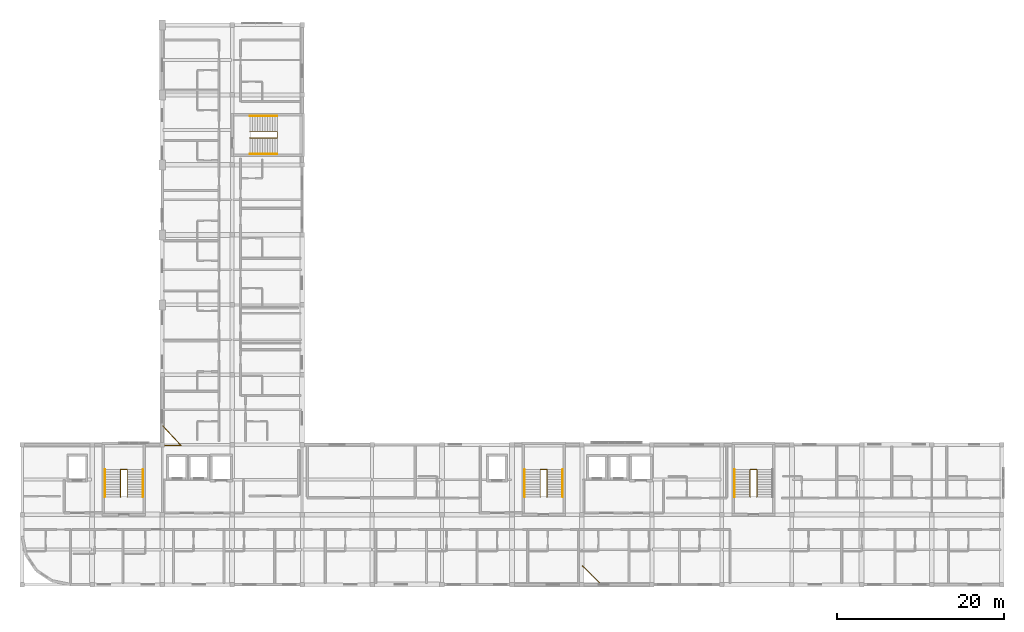
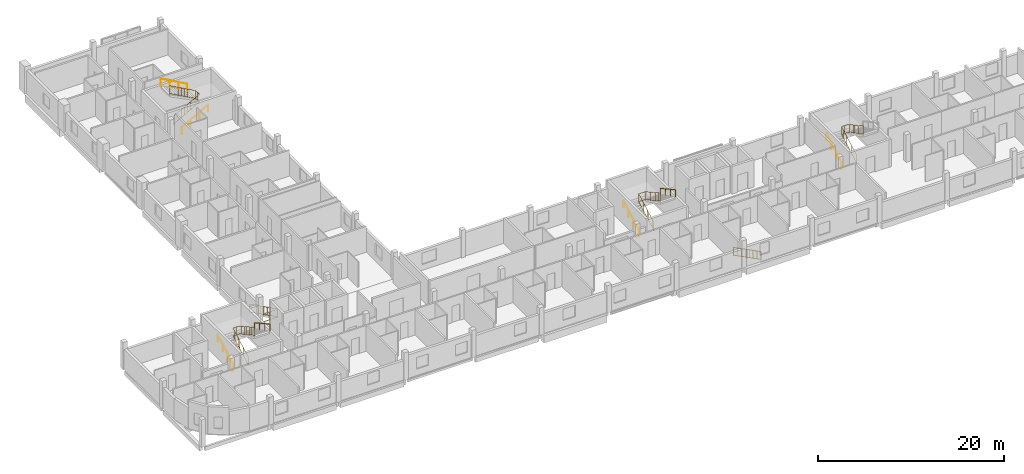
# One storey, part 19 of 20: 13 railings.
"""IFC4 building model written with IfcOpenShell, lengths in metres."""

from ifc_helpers import new_model, si_unit, derived_unit, direction, frame, origin, origin_2d, place, context, subcontext, project, spatial, circle, extrude, material, layer, layer_set, type_object, element, save


model = new_model("IFC4")

# Units and contexts
model_context = context("Model", 3, precision=1e-05, world=origin(), true_north=direction((0.0, 1.0)))
body_context = subcontext(model_context, "Body", "Model", "MODEL_VIEW")
ifc_project = project(units=[si_unit("LENGTHUNIT", "METRE"), si_unit("AREAUNIT", "SQUARE_METRE"), si_unit("VOLUMEUNIT", "CUBIC_METRE"), si_unit("PLANEANGLEUNIT", "RADIAN"), si_unit("MASSUNIT", "GRAM", prefix="KILO"), derived_unit("THERMALTRANSMITTANCEUNIT", [(si_unit("POWERUNIT", "WATT"), 1), (si_unit("LENGTHUNIT", "METRE"), -2), (si_unit("THERMODYNAMICTEMPERATUREUNIT", "KELVIN"), -1)])], contexts=[model_context])

# Site, building, storey
site_placement = place(None, origin())
site = spatial("IfcSite", under=ifc_project, at=site_placement, CompositionType="ELEMENT")
building_placement = place(site_placement, origin())
building = spatial("IfcBuilding", under=site, at=building_placement, Name="Barrovel Congress Hotel", CompositionType="ELEMENT")
storey_placement = place(building_placement, frame((0.0, 0.0, 36.300048828125)))
storey = spatial("IfcBuildingStorey", under=building, at=storey_placement, Name="L09", CompositionType="ELEMENT", Elevation=36.300048828125)

# Railings
ifc_material_1 = material(Name="Painted Architectural Steel", Category="steel")
ifc_layer_1 = layer(ifc_material_1, 0.070068359375)
ifc_layer_set_1 = layer_set([ifc_layer_1], Name="Painted Architectural Steel")
railing_type_1 = type_object("IfcRailingType", Name="RAIL-GUARD-INT", PredefinedType="BALUSTRADE", material=ifc_layer_set_1)
railing_1_placement = place(storey_placement, frame((28.60009765625, 14.739990234375, 0.0)))
element("IfcRailing", 1, at=railing_1_placement, inside=storey, type_object=railing_type_1, Name="STAIR:XS-01:L09:GR-W", PredefinedType="BALUSTRADE", context=body_context, shape_type="SweptSolid", body=[
    extrude(circle(Radius=0.02392578125, at=origin_2d()), frame((0.0, 0.0, 1.11572265625), z_axis=(0.0, 0.876041855244, 0.482235075311), x_axis=(-1.0, 0.0, 0.0)), (0.0, 0.0, 1.0), 3.732666015625),
    extrude(circle(Radius=0.02392578125, at=origin_2d()), frame((0.0, 0.0, 0.10009765625), z_axis=(0.0, 0.876041855244, 0.482235075311), x_axis=(-1.0, 0.0, 0.0)), (0.0, 0.0, 1.0), 3.732666015625),
    extrude(circle(Radius=0.010009765625, at=origin_2d()), frame((0.0, 0.36328125, 0.300048828125)), (0.0, 0.0, 1.0), 0.99169921875),
    extrude(circle(Radius=0.010009765625, at=origin_2d()), frame((0.0, 0.7265625, 0.5)), (0.0, 0.0, 1.0), 0.99169921875),
    extrude(circle(Radius=0.010009765625, at=origin_2d()), frame((0.0, 1.090087890625, 0.699951171875)), (0.0, 0.0, 1.0), 0.99169921875),
    extrude(circle(Radius=0.010009765625, at=origin_2d()), frame((0.0, 1.453369140625, 0.89990234375)), (0.0, 0.0, 1.0), 0.99169921875),
    extrude(circle(Radius=0.010009765625, at=origin_2d()), frame((0.0, 1.816650390625, 1.10009765625)), (0.0, 0.0, 1.0), 0.99169921875),
    extrude(circle(Radius=0.010009765625, at=origin_2d()), frame((0.0, 2.179931640625, 1.300048828125)), (0.0, 0.0, 1.0), 0.99169921875),
    extrude(circle(Radius=0.010009765625, at=origin_2d()), frame((0.0, 2.54345703125, 1.5)), (0.0, 0.0, 1.0), 0.99169921875),
    extrude(circle(Radius=0.010009765625, at=origin_2d()), frame((0.0, 2.90673828125, 1.699951171875)), (0.0, 0.0, 1.0), 0.99169921875),
    extrude(circle(Radius=0.02392578125, at=origin_2d()), frame((0.0, 3.27001953125, 2.916015625), z_axis=(1.0, 0.0, 0.0), x_axis=(0.0, 1.0, 0.0)), (0.0, 0.0, 1.0), 0.7998046875),
    extrude(circle(Radius=0.02392578125, at=origin_2d()), frame((0.0, 3.27001953125, 1.900146484375), z_axis=(1.0, 0.0, 0.0), x_axis=(0.0, 1.0, 0.0)), (0.0, 0.0, 1.0), 0.7998046875),
    extrude(circle(Radius=0.010009765625, at=origin_2d()), frame((0.39990234375, 3.27001953125, 1.900146484375)), (0.0, 0.0, 1.0), 0.99169921875),
    extrude(circle(Radius=0.02392578125, at=origin_2d()), frame((0.7998046875, 3.27001953125, 2.916015625), z_axis=(0.0, -0.87606948578, 0.482184877495), x_axis=(1.0, 0.0, 0.0)), (0.0, 0.0, 1.0), 3.732666015625),
    extrude(circle(Radius=0.02392578125, at=origin_2d()), frame((0.7998046875, 3.27001953125, 1.900146484375), z_axis=(0.0, -0.87606948578, 0.482184877495), x_axis=(1.0, 0.0, 0.0)), (0.0, 0.0, 1.0), 3.732666015625),
    extrude(circle(Radius=0.010009765625, at=origin_2d()), frame((0.7998046875, 2.90673828125, 2.10009765625)), (0.0, 0.0, 1.0), 0.99169921875),
    extrude(circle(Radius=0.010009765625, at=origin_2d()), frame((0.7998046875, 2.54345703125, 2.300048828125)), (0.0, 0.0, 1.0), 0.99169921875),
    extrude(circle(Radius=0.010009765625, at=origin_2d()), frame((0.7998046875, 2.179931640625, 2.5)), (0.0, 0.0, 1.0), 0.99169921875),
    extrude(circle(Radius=0.010009765625, at=origin_2d()), frame((0.7998046875, 1.816650390625, 2.699951171875)), (0.0, 0.0, 1.0), 0.99169921875),
    extrude(circle(Radius=0.010009765625, at=origin_2d()), frame((0.7998046875, 1.453369140625, 2.89990234375)), (0.0, 0.0, 1.0), 0.99169921875),
    extrude(circle(Radius=0.010009765625, at=origin_2d()), frame((0.7998046875, 1.090087890625, 3.099853515625)), (0.0, 0.0, 1.0), 0.99169921875),
    extrude(circle(Radius=0.010009765625, at=origin_2d()), frame((0.7998046875, 0.7265625, 3.2998046875)), (0.0, 0.0, 1.0), 0.99169921875),
    extrude(circle(Radius=0.010009765625, at=origin_2d()), frame((0.7998046875, 0.36328125, 3.499755859375)), (0.0, 0.0, 1.0), 0.99169921875),
    extrude(circle(Radius=0.02099609375, at=origin_2d()), origin(), (0.0, 0.0, 1.0), 1.091796875),
    extrude(circle(Radius=0.02099609375, at=origin_2d()), frame((0.0, 1.090087890625, 0.60009765625)), (0.0, 0.0, 1.0), 1.091796875),
    extrude(circle(Radius=0.02099609375, at=origin_2d()), frame((0.0, 2.179931640625, 1.199951171875)), (0.0, 0.0, 1.0), 1.091796875),
    extrude(circle(Radius=0.02099609375, at=origin_2d()), frame((0.0, 3.27001953125, 1.800048828125)), (0.0, 0.0, 1.0), 1.091796875),
    extrude(circle(Radius=0.02099609375, at=origin_2d()), frame((0.7998046875, 3.27001953125, 1.800048828125)), (0.0, 0.0, 1.0), 1.091796875),
    extrude(circle(Radius=0.02099609375, at=origin_2d()), frame((0.7998046875, 2.179931640625, 2.39990234375)), (0.0, 0.0, 1.0), 1.091796875),
    extrude(circle(Radius=0.02099609375, at=origin_2d()), frame((0.7998046875, 1.090087890625, 3.0)), (0.0, 0.0, 1.0), 1.091796875),
    extrude(circle(Radius=0.02099609375, at=origin_2d()), frame((0.7998046875, 0.0, 3.599853515625)), (0.0, 0.0, 1.0), 1.091796875),
])
railing_2_placement = place(storey_placement, frame((79.0, 14.739990234375, 0.0)))
element("IfcRailing", 2, at=railing_2_placement, inside=storey, type_object=railing_type_1, Name="STAIR:XS-02:L09:GR-W", PredefinedType="BALUSTRADE", context=body_context, shape_type="SweptSolid", body=[
    extrude(circle(Radius=0.02392578125, at=origin_2d()), frame((0.0, 0.0, 1.11572265625), z_axis=(0.0, 0.876041855244, 0.482235075311), x_axis=(-1.0, 0.0, 0.0)), (0.0, 0.0, 1.0), 3.732666015625),
    extrude(circle(Radius=0.02392578125, at=origin_2d()), frame((0.0, 0.0, 0.10009765625), z_axis=(0.0, 0.876041855244, 0.482235075311), x_axis=(-1.0, 0.0, 0.0)), (0.0, 0.0, 1.0), 3.732666015625),
    extrude(circle(Radius=0.010009765625, at=origin_2d()), frame((0.0, 0.36328125, 0.300048828125)), (0.0, 0.0, 1.0), 0.99169921875),
    extrude(circle(Radius=0.010009765625, at=origin_2d()), frame((0.0, 0.7265625, 0.5)), (0.0, 0.0, 1.0), 0.99169921875),
    extrude(circle(Radius=0.010009765625, at=origin_2d()), frame((0.0, 1.090087890625, 0.699951171875)), (0.0, 0.0, 1.0), 0.99169921875),
    extrude(circle(Radius=0.010009765625, at=origin_2d()), frame((0.0, 1.453369140625, 0.89990234375)), (0.0, 0.0, 1.0), 0.99169921875),
    extrude(circle(Radius=0.010009765625, at=origin_2d()), frame((0.0, 1.816650390625, 1.10009765625)), (0.0, 0.0, 1.0), 0.99169921875),
    extrude(circle(Radius=0.010009765625, at=origin_2d()), frame((0.0, 2.179931640625, 1.300048828125)), (0.0, 0.0, 1.0), 0.99169921875),
    extrude(circle(Radius=0.010009765625, at=origin_2d()), frame((0.0, 2.54345703125, 1.5)), (0.0, 0.0, 1.0), 0.99169921875),
    extrude(circle(Radius=0.010009765625, at=origin_2d()), frame((0.0, 2.90673828125, 1.699951171875)), (0.0, 0.0, 1.0), 0.99169921875),
    extrude(circle(Radius=0.02392578125, at=origin_2d()), frame((0.0, 3.27001953125, 2.916015625), z_axis=(1.0, 0.0, 0.0), x_axis=(0.0, 1.0, 0.0)), (0.0, 0.0, 1.0), 0.800048828125),
    extrude(circle(Radius=0.02392578125, at=origin_2d()), frame((0.0, 3.27001953125, 1.900146484375), z_axis=(1.0, 0.0, 0.0), x_axis=(0.0, 1.0, 0.0)), (0.0, 0.0, 1.0), 0.800048828125),
    extrude(circle(Radius=0.010009765625, at=origin_2d()), frame((0.39990234375, 3.27001953125, 1.900146484375)), (0.0, 0.0, 1.0), 0.99169921875),
    extrude(circle(Radius=0.02392578125, at=origin_2d()), frame((0.800048828125, 3.27001953125, 2.916015625), z_axis=(0.0, -0.87606948578, 0.482184877495), x_axis=(1.0, 0.0, 0.0)), (0.0, 0.0, 1.0), 3.732666015625),
    extrude(circle(Radius=0.02392578125, at=origin_2d()), frame((0.800048828125, 3.27001953125, 1.900146484375), z_axis=(0.0, -0.87606948578, 0.482184877495), x_axis=(1.0, 0.0, 0.0)), (0.0, 0.0, 1.0), 3.732666015625),
    extrude(circle(Radius=0.010009765625, at=origin_2d()), frame((0.800048828125, 2.90673828125, 2.10009765625)), (0.0, 0.0, 1.0), 0.99169921875),
    extrude(circle(Radius=0.010009765625, at=origin_2d()), frame((0.800048828125, 2.54345703125, 2.300048828125)), (0.0, 0.0, 1.0), 0.99169921875),
    extrude(circle(Radius=0.010009765625, at=origin_2d()), frame((0.800048828125, 2.179931640625, 2.5)), (0.0, 0.0, 1.0), 0.99169921875),
    extrude(circle(Radius=0.010009765625, at=origin_2d()), frame((0.800048828125, 1.816650390625, 2.699951171875)), (0.0, 0.0, 1.0), 0.99169921875),
    extrude(circle(Radius=0.010009765625, at=origin_2d()), frame((0.800048828125, 1.453369140625, 2.89990234375)), (0.0, 0.0, 1.0), 0.99169921875),
    extrude(circle(Radius=0.010009765625, at=origin_2d()), frame((0.800048828125, 1.090087890625, 3.099853515625)), (0.0, 0.0, 1.0), 0.99169921875),
    extrude(circle(Radius=0.010009765625, at=origin_2d()), frame((0.800048828125, 0.7265625, 3.2998046875)), (0.0, 0.0, 1.0), 0.99169921875),
    extrude(circle(Radius=0.010009765625, at=origin_2d()), frame((0.800048828125, 0.36328125, 3.499755859375)), (0.0, 0.0, 1.0), 0.99169921875),
    extrude(circle(Radius=0.02099609375, at=origin_2d()), origin(), (0.0, 0.0, 1.0), 1.091796875),
    extrude(circle(Radius=0.02099609375, at=origin_2d()), frame((0.0, 1.090087890625, 0.60009765625)), (0.0, 0.0, 1.0), 1.091796875),
    extrude(circle(Radius=0.02099609375, at=origin_2d()), frame((0.0, 2.179931640625, 1.199951171875)), (0.0, 0.0, 1.0), 1.091796875),
    extrude(circle(Radius=0.02099609375, at=origin_2d()), frame((0.0, 3.27001953125, 1.800048828125)), (0.0, 0.0, 1.0), 1.091796875),
    extrude(circle(Radius=0.02099609375, at=origin_2d()), frame((0.800048828125, 3.27001953125, 1.800048828125)), (0.0, 0.0, 1.0), 1.091796875),
    extrude(circle(Radius=0.02099609375, at=origin_2d()), frame((0.800048828125, 2.179931640625, 2.39990234375)), (0.0, 0.0, 1.0), 1.091796875),
    extrude(circle(Radius=0.02099609375, at=origin_2d()), frame((0.800048828125, 1.090087890625, 3.0)), (0.0, 0.0, 1.0), 1.091796875),
    extrude(circle(Radius=0.02099609375, at=origin_2d()), frame((0.800048828125, 0.0, 3.599853515625)), (0.0, 0.0, 1.0), 1.091796875),
])
railing_3_placement = place(storey_placement, frame((104.199951171875, 14.739990234375, 0.0)))
element("IfcRailing", 3, at=railing_3_placement, inside=storey, type_object=railing_type_1, Name="STAIR:XS-03:L09:GR-W", PredefinedType="BALUSTRADE", context=body_context, shape_type="SweptSolid", body=[
    extrude(circle(Radius=0.02392578125, at=origin_2d()), frame((0.0, 0.0, 1.11572265625), z_axis=(0.0, 0.876041855244, 0.482235075311), x_axis=(-1.0, 0.0, 0.0)), (0.0, 0.0, 1.0), 3.732666015625),
    extrude(circle(Radius=0.02392578125, at=origin_2d()), frame((0.0, 0.0, 0.10009765625), z_axis=(0.0, 0.876041855244, 0.482235075311), x_axis=(-1.0, 0.0, 0.0)), (0.0, 0.0, 1.0), 3.732666015625),
    extrude(circle(Radius=0.010009765625, at=origin_2d()), frame((0.0, 0.36328125, 0.300048828125)), (0.0, 0.0, 1.0), 0.99169921875),
    extrude(circle(Radius=0.010009765625, at=origin_2d()), frame((0.0, 0.7265625, 0.5)), (0.0, 0.0, 1.0), 0.99169921875),
    extrude(circle(Radius=0.010009765625, at=origin_2d()), frame((0.0, 1.090087890625, 0.699951171875)), (0.0, 0.0, 1.0), 0.99169921875),
    extrude(circle(Radius=0.010009765625, at=origin_2d()), frame((0.0, 1.453369140625, 0.89990234375)), (0.0, 0.0, 1.0), 0.99169921875),
    extrude(circle(Radius=0.010009765625, at=origin_2d()), frame((0.0, 1.816650390625, 1.10009765625)), (0.0, 0.0, 1.0), 0.99169921875),
    extrude(circle(Radius=0.010009765625, at=origin_2d()), frame((0.0, 2.179931640625, 1.300048828125)), (0.0, 0.0, 1.0), 0.99169921875),
    extrude(circle(Radius=0.010009765625, at=origin_2d()), frame((0.0, 2.54345703125, 1.5)), (0.0, 0.0, 1.0), 0.99169921875),
    extrude(circle(Radius=0.010009765625, at=origin_2d()), frame((0.0, 2.90673828125, 1.699951171875)), (0.0, 0.0, 1.0), 0.99169921875),
    extrude(circle(Radius=0.02392578125, at=origin_2d()), frame((0.0, 3.27001953125, 2.916015625), z_axis=(1.0, 0.0, 0.0), x_axis=(0.0, 1.0, 0.0)), (0.0, 0.0, 1.0), 0.800048828125),
    extrude(circle(Radius=0.02392578125, at=origin_2d()), frame((0.0, 3.27001953125, 1.900146484375), z_axis=(1.0, 0.0, 0.0), x_axis=(0.0, 1.0, 0.0)), (0.0, 0.0, 1.0), 0.800048828125),
    extrude(circle(Radius=0.010009765625, at=origin_2d()), frame((0.39990234375, 3.27001953125, 1.900146484375)), (0.0, 0.0, 1.0), 0.99169921875),
    extrude(circle(Radius=0.02392578125, at=origin_2d()), frame((0.800048828125, 3.27001953125, 2.916015625), z_axis=(0.0, -0.87606948578, 0.482184877495), x_axis=(1.0, 0.0, 0.0)), (0.0, 0.0, 1.0), 3.732666015625),
    extrude(circle(Radius=0.02392578125, at=origin_2d()), frame((0.800048828125, 3.27001953125, 1.900146484375), z_axis=(0.0, -0.87606948578, 0.482184877495), x_axis=(1.0, 0.0, 0.0)), (0.0, 0.0, 1.0), 3.732666015625),
    extrude(circle(Radius=0.010009765625, at=origin_2d()), frame((0.800048828125, 2.90673828125, 2.10009765625)), (0.0, 0.0, 1.0), 0.99169921875),
    extrude(circle(Radius=0.010009765625, at=origin_2d()), frame((0.800048828125, 2.54345703125, 2.300048828125)), (0.0, 0.0, 1.0), 0.99169921875),
    extrude(circle(Radius=0.010009765625, at=origin_2d()), frame((0.800048828125, 2.179931640625, 2.5)), (0.0, 0.0, 1.0), 0.99169921875),
    extrude(circle(Radius=0.010009765625, at=origin_2d()), frame((0.800048828125, 1.816650390625, 2.699951171875)), (0.0, 0.0, 1.0), 0.99169921875),
    extrude(circle(Radius=0.010009765625, at=origin_2d()), frame((0.800048828125, 1.453369140625, 2.89990234375)), (0.0, 0.0, 1.0), 0.99169921875),
    extrude(circle(Radius=0.010009765625, at=origin_2d()), frame((0.800048828125, 1.090087890625, 3.099853515625)), (0.0, 0.0, 1.0), 0.99169921875),
    extrude(circle(Radius=0.010009765625, at=origin_2d()), frame((0.800048828125, 0.7265625, 3.2998046875)), (0.0, 0.0, 1.0), 0.99169921875),
    extrude(circle(Radius=0.010009765625, at=origin_2d()), frame((0.800048828125, 0.36328125, 3.499755859375)), (0.0, 0.0, 1.0), 0.99169921875),
    extrude(circle(Radius=0.02099609375, at=origin_2d()), origin(), (0.0, 0.0, 1.0), 1.091796875),
    extrude(circle(Radius=0.02099609375, at=origin_2d()), frame((0.0, 1.090087890625, 0.60009765625)), (0.0, 0.0, 1.0), 1.091796875),
    extrude(circle(Radius=0.02099609375, at=origin_2d()), frame((0.0, 2.179931640625, 1.199951171875)), (0.0, 0.0, 1.0), 1.091796875),
    extrude(circle(Radius=0.02099609375, at=origin_2d()), frame((0.0, 3.27001953125, 1.800048828125)), (0.0, 0.0, 1.0), 1.091796875),
    extrude(circle(Radius=0.02099609375, at=origin_2d()), frame((0.800048828125, 3.27001953125, 1.800048828125)), (0.0, 0.0, 1.0), 1.091796875),
    extrude(circle(Radius=0.02099609375, at=origin_2d()), frame((0.800048828125, 2.179931640625, 2.39990234375)), (0.0, 0.0, 1.0), 1.091796875),
    extrude(circle(Radius=0.02099609375, at=origin_2d()), frame((0.800048828125, 1.090087890625, 3.0)), (0.0, 0.0, 1.0), 1.091796875),
    extrude(circle(Radius=0.02099609375, at=origin_2d()), frame((0.800048828125, 0.0, 3.599853515625)), (0.0, 0.0, 1.0), 1.091796875),
])
railing_4_placement = place(storey_placement, frame((44.139892578125, 57.820068359375, 0.0)))
element("IfcRailing", 4, at=railing_4_placement, inside=storey, type_object=railing_type_1, Name="STAIR:XS-05:L09:GR-W", PredefinedType="BALUSTRADE", context=body_context, shape_type="SweptSolid", body=[
    extrude(circle(Radius=0.02392578125, at=origin_2d()), frame((0.0, 0.0, 1.11572265625), z_axis=(0.876041855244, 0.0, 0.482235075311), x_axis=(0.0, 1.0, 0.0)), (0.0, 0.0, 1.0), 3.732666015625),
    extrude(circle(Radius=0.02392578125, at=origin_2d()), frame((0.0, 0.0, 0.10009765625), z_axis=(0.876041855244, 0.0, 0.482235075311), x_axis=(0.0, 1.0, 0.0)), (0.0, 0.0, 1.0), 3.732666015625),
    extrude(circle(Radius=0.010009765625, at=origin_2d()), frame((0.36328125, 0.0, 0.300048828125)), (0.0, 0.0, 1.0), 0.99169921875),
    extrude(circle(Radius=0.010009765625, at=origin_2d()), frame((0.7265625, 0.0, 0.5)), (0.0, 0.0, 1.0), 0.99169921875),
    extrude(circle(Radius=0.010009765625, at=origin_2d()), frame((1.090087890625, 0.0, 0.699951171875)), (0.0, 0.0, 1.0), 0.99169921875),
    extrude(circle(Radius=0.010009765625, at=origin_2d()), frame((1.453369140625, 0.0, 0.89990234375)), (0.0, 0.0, 1.0), 0.99169921875),
    extrude(circle(Radius=0.010009765625, at=origin_2d()), frame((1.816650390625, 0.0, 1.10009765625)), (0.0, 0.0, 1.0), 0.99169921875),
    extrude(circle(Radius=0.010009765625, at=origin_2d()), frame((2.179931640625, 0.0, 1.300048828125)), (0.0, 0.0, 1.0), 0.99169921875),
    extrude(circle(Radius=0.010009765625, at=origin_2d()), frame((2.54345703125, 0.0, 1.5)), (0.0, 0.0, 1.0), 0.99169921875),
    extrude(circle(Radius=0.010009765625, at=origin_2d()), frame((2.90673828125, 0.0, 1.699951171875)), (0.0, 0.0, 1.0), 0.99169921875),
    extrude(circle(Radius=0.02392578125, at=origin_2d()), frame((3.27001953125, 0.0, 2.916015625), z_axis=(0.0, 1.0, 0.0), x_axis=(-1.0, 0.0, 0.0)), (0.0, 0.0, 1.0), 0.760009765625),
    extrude(circle(Radius=0.02392578125, at=origin_2d()), frame((3.27001953125, 0.0, 1.900146484375), z_axis=(0.0, 1.0, 0.0), x_axis=(-1.0, 0.0, 0.0)), (0.0, 0.0, 1.0), 0.760009765625),
    extrude(circle(Radius=0.010009765625, at=origin_2d()), frame((3.27001953125, 0.3798828125, 1.900146484375)), (0.0, 0.0, 1.0), 0.99169921875),
    extrude(circle(Radius=0.02392578125, at=origin_2d()), frame((3.27001953125, 0.760009765625, 2.916015625), z_axis=(-0.87606948578, 0.0, 0.482184877495), x_axis=(0.0, -1.0, 0.0)), (0.0, 0.0, 1.0), 3.732666015625),
    extrude(circle(Radius=0.02392578125, at=origin_2d()), frame((3.27001953125, 0.760009765625, 1.900146484375), z_axis=(-0.87606948578, 0.0, 0.482184877495), x_axis=(0.0, -1.0, 0.0)), (0.0, 0.0, 1.0), 3.732666015625),
    extrude(circle(Radius=0.010009765625, at=origin_2d()), frame((2.90673828125, 0.760009765625, 2.10009765625)), (0.0, 0.0, 1.0), 0.99169921875),
    extrude(circle(Radius=0.010009765625, at=origin_2d()), frame((2.54345703125, 0.760009765625, 2.300048828125)), (0.0, 0.0, 1.0), 0.99169921875),
    extrude(circle(Radius=0.010009765625, at=origin_2d()), frame((2.179931640625, 0.760009765625, 2.5)), (0.0, 0.0, 1.0), 0.99169921875),
    extrude(circle(Radius=0.010009765625, at=origin_2d()), frame((1.816650390625, 0.760009765625, 2.699951171875)), (0.0, 0.0, 1.0), 0.99169921875),
    extrude(circle(Radius=0.010009765625, at=origin_2d()), frame((1.453369140625, 0.760009765625, 2.89990234375)), (0.0, 0.0, 1.0), 0.99169921875),
    extrude(circle(Radius=0.010009765625, at=origin_2d()), frame((1.090087890625, 0.760009765625, 3.099853515625)), (0.0, 0.0, 1.0), 0.99169921875),
    extrude(circle(Radius=0.010009765625, at=origin_2d()), frame((0.7265625, 0.760009765625, 3.2998046875)), (0.0, 0.0, 1.0), 0.99169921875),
    extrude(circle(Radius=0.010009765625, at=origin_2d()), frame((0.36328125, 0.760009765625, 3.499755859375)), (0.0, 0.0, 1.0), 0.99169921875),
    extrude(circle(Radius=0.02099609375, at=origin_2d()), origin(), (0.0, 0.0, 1.0), 1.091796875),
    extrude(circle(Radius=0.02099609375, at=origin_2d()), frame((1.090087890625, 0.0, 0.60009765625)), (0.0, 0.0, 1.0), 1.091796875),
    extrude(circle(Radius=0.02099609375, at=origin_2d()), frame((2.179931640625, 0.0, 1.199951171875)), (0.0, 0.0, 1.0), 1.091796875),
    extrude(circle(Radius=0.02099609375, at=origin_2d()), frame((3.27001953125, 0.0, 1.800048828125)), (0.0, 0.0, 1.0), 1.091796875),
    extrude(circle(Radius=0.02099609375, at=origin_2d()), frame((3.27001953125, 0.760009765625, 1.800048828125)), (0.0, 0.0, 1.0), 1.091796875),
    extrude(circle(Radius=0.02099609375, at=origin_2d()), frame((2.179931640625, 0.760009765625, 2.39990234375)), (0.0, 0.0, 1.0), 1.091796875),
    extrude(circle(Radius=0.02099609375, at=origin_2d()), frame((1.090087890625, 0.760009765625, 3.0)), (0.0, 0.0, 1.0), 1.091796875),
    extrude(circle(Radius=0.02099609375, at=origin_2d()), frame((0.0, 0.760009765625, 3.599853515625)), (0.0, 0.0, 1.0), 1.091796875),
])
railing_5_placement = place(storey_placement, frame((33.679931640625, 20.919921875, 0.0)))
element("IfcRailing", 5, at=railing_5_placement, inside=storey, type_object=railing_type_1, Name="RAIL:L09:CG-HW1", PredefinedType="BALUSTRADE", context=body_context, shape_type="SweptSolid", body=[
    extrude(circle(Radius=0.02392578125, at=origin_2d()), frame((0.0, 0.0, 1.11572265625), z_axis=(1.0, 0.0, 0.0), x_axis=(0.0, 1.0, 0.0)), (0.0, 0.0, 1.0), 2.170166015625),
    extrude(circle(Radius=0.02392578125, at=origin_2d()), frame((0.0, 0.0, 0.10009765625), z_axis=(1.0, 0.0, 0.0), x_axis=(0.0, 1.0, 0.0)), (0.0, 0.0, 1.0), 2.170166015625),
    extrude(circle(Radius=0.010009765625, at=origin_2d()), frame((0.43408203125, 0.0, 0.10009765625)), (0.0, 0.0, 1.0), 0.99169921875),
    extrude(circle(Radius=0.010009765625, at=origin_2d()), frame((0.8681640625, 0.0, 0.10009765625)), (0.0, 0.0, 1.0), 0.99169921875),
    extrude(circle(Radius=0.010009765625, at=origin_2d()), frame((1.302001953125, 0.0, 0.10009765625)), (0.0, 0.0, 1.0), 0.99169921875),
    extrude(circle(Radius=0.010009765625, at=origin_2d()), frame((1.736083984375, 0.0, 0.10009765625)), (0.0, 0.0, 1.0), 0.99169921875),
    extrude(circle(Radius=0.02392578125, at=origin_2d()), frame((2.170166015625, 0.0, 1.11572265625), z_axis=(-0.681550229161, 0.731771333909, 0.0), x_axis=(-0.731771333909, -0.681550229161, 0.0)), (0.0, 0.0, 1.0), 3.18408203125),
    extrude(circle(Radius=0.02392578125, at=origin_2d()), frame((2.170166015625, 0.0, 0.10009765625), z_axis=(-0.681550229161, 0.731771333909, 0.0), x_axis=(-0.731771333909, -0.681550229161, 0.0)), (0.0, 0.0, 1.0), 3.18408203125),
    extrude(circle(Radius=0.010009765625, at=origin_2d()), frame((1.89892578125, 0.291259765625, 0.10009765625)), (0.0, 0.0, 1.0), 0.99169921875),
    extrude(circle(Radius=0.010009765625, at=origin_2d()), frame((1.627685546875, 0.58251953125, 0.10009765625)), (0.0, 0.0, 1.0), 0.99169921875),
    extrude(circle(Radius=0.010009765625, at=origin_2d()), frame((1.3564453125, 0.873779296875, 0.10009765625)), (0.0, 0.0, 1.0), 0.99169921875),
    extrude(circle(Radius=0.010009765625, at=origin_2d()), frame((1.0849609375, 1.1650390625, 0.10009765625)), (0.0, 0.0, 1.0), 0.99169921875),
    extrude(circle(Radius=0.010009765625, at=origin_2d()), frame((0.813720703125, 1.456298828125, 0.10009765625)), (0.0, 0.0, 1.0), 0.99169921875),
    extrude(circle(Radius=0.010009765625, at=origin_2d()), frame((0.54248046875, 1.74755859375, 0.10009765625)), (0.0, 0.0, 1.0), 0.99169921875),
    extrude(circle(Radius=0.010009765625, at=origin_2d()), frame((0.271240234375, 2.038818359375, 0.10009765625)), (0.0, 0.0, 1.0), 0.99169921875),
    extrude(circle(Radius=0.02099609375, at=origin_2d()), origin(), (0.0, 0.0, 1.0), 1.091796875),
    extrude(circle(Radius=0.02099609375, at=origin_2d()), frame((1.0849609375, 0.0, 0.0)), (0.0, 0.0, 1.0), 1.091796875),
    extrude(circle(Radius=0.02099609375, at=origin_2d()), frame((2.170166015625, 0.0, 0.0)), (0.0, 0.0, 1.0), 1.091796875),
    extrude(circle(Radius=0.02099609375, at=origin_2d()), frame((1.0849609375, 1.1650390625, 0.0)), (0.0, 0.0, 1.0), 1.091796875),
    extrude(circle(Radius=0.02099609375, at=origin_2d()), frame((0.0, 2.330078125, 0.0)), (0.0, 0.0, 1.0), 1.091796875),
])
railing_6_placement = place(storey_placement, frame((86.25, 4.280029296875, 0.0)))
element("IfcRailing", 6, at=railing_6_placement, inside=storey, type_object=railing_type_1, Name="RAIL:L09:CG-HS2", PredefinedType="BALUSTRADE", context=body_context, shape_type="SweptSolid", body=[
    extrude(circle(Radius=0.02392578125, at=origin_2d()), frame((0.0, 0.0, 1.11572265625), z_axis=(-0.707106781187, 0.707106781187, 0.0), x_axis=(-0.707106781187, -0.707106781187, 0.0)), (0.0, 0.0, 1.0), 3.06884765625),
    extrude(circle(Radius=0.02392578125, at=origin_2d()), frame((0.0, 0.0, 0.10009765625), z_axis=(-0.707106781187, 0.707106781187, 0.0), x_axis=(-0.707106781187, -0.707106781187, 0.0)), (0.0, 0.0, 1.0), 3.06884765625),
    extrude(circle(Radius=0.010009765625, at=origin_2d()), frame((-0.31005859375, 0.31005859375, 0.10009765625)), (0.0, 0.0, 1.0), 0.99169921875),
    extrude(circle(Radius=0.010009765625, at=origin_2d()), frame((-0.619873046875, 0.619873046875, 0.10009765625)), (0.0, 0.0, 1.0), 0.99169921875),
    extrude(circle(Radius=0.010009765625, at=origin_2d()), frame((-0.929931640625, 0.929931640625, 0.10009765625)), (0.0, 0.0, 1.0), 0.99169921875),
    extrude(circle(Radius=0.010009765625, at=origin_2d()), frame((-1.239990234375, 1.239990234375, 0.10009765625)), (0.0, 0.0, 1.0), 0.99169921875),
    extrude(circle(Radius=0.010009765625, at=origin_2d()), frame((-1.550048828125, 1.550048828125, 0.10009765625)), (0.0, 0.0, 1.0), 0.99169921875),
    extrude(circle(Radius=0.010009765625, at=origin_2d()), frame((-1.85986328125, 1.85986328125, 0.10009765625)), (0.0, 0.0, 1.0), 0.99169921875),
    extrude(circle(Radius=0.02099609375, at=origin_2d()), origin(), (0.0, 0.0, 1.0), 1.091796875),
    extrude(circle(Radius=0.02099609375, at=origin_2d()), frame((-1.0849609375, 1.0849609375, 0.0)), (0.0, 0.0, 1.0), 1.091796875),
    extrude(circle(Radius=0.02099609375, at=origin_2d()), frame((-2.169921875, 2.169921875, 0.0)), (0.0, 0.0, 1.0), 1.091796875),
])
ifc_material_2 = material(Name="Brushed Stainless Steel", Category="steel")
ifc_layer_2 = layer(ifc_material_2, 0.050048828125)
ifc_layer_set_2 = layer_set([ifc_layer_2], Name="Brushed Stainless Steel")
railing_type_2 = type_object("IfcRailingType", Name="RAIL-HAND", PredefinedType="HANDRAIL", material=ifc_layer_set_2)
railing_7_placement = place(storey_placement, frame((26.719970703125, 14.739990234375, 0.0)))
element("IfcRailing", 7, at=railing_7_placement, inside=storey, type_object=railing_type_2, Name="STAIR:XS-01:L09:HR-1", PredefinedType="HANDRAIL", context=body_context, shape_type="SweptSolid", body=[
    extrude(circle(Radius=0.02392578125, at=origin_2d()), frame((0.0, 0.0, 0.89599609375), z_axis=(0.0, 0.876041855244, 0.482235075311), x_axis=(-1.0, 0.0, 0.0)), (0.0, 0.0, 1.0), 3.732666015625),
    extrude(circle(Radius=0.02099609375, at=origin_2d()), origin(), (0.0, 0.0, 1.0), 0.871826171875),
    extrude(circle(Radius=0.02099609375, at=origin_2d()), frame((0.0, 1.090087890625, 0.60009765625)), (0.0, 0.0, 1.0), 0.871826171875),
    extrude(circle(Radius=0.02099609375, at=origin_2d()), frame((0.0, 2.179931640625, 1.199951171875)), (0.0, 0.0, 1.0), 0.871826171875),
    extrude(circle(Radius=0.02099609375, at=origin_2d()), frame((0.0, 3.27001953125, 1.800048828125)), (0.0, 0.0, 1.0), 0.871826171875),
])
railing_8_placement = place(storey_placement, frame((31.280029296875, 18.010009765625, 1.800048828125)))
element("IfcRailing", 8, at=railing_8_placement, inside=storey, type_object=railing_type_2, Name="STAIR:XS-01:L09:HR-2", PredefinedType="HANDRAIL", context=body_context, shape_type="SweptSolid", body=[
    extrude(circle(Radius=0.02392578125, at=origin_2d()), frame((0.0, 0.0, 0.89599609375), z_axis=(0.0, -0.87606948578, 0.482184877495), x_axis=(1.0, 0.0, 0.0)), (0.0, 0.0, 1.0), 3.732666015625),
    extrude(circle(Radius=0.02099609375, at=origin_2d()), origin(), (0.0, 0.0, 1.0), 0.871826171875),
    extrude(circle(Radius=0.02099609375, at=origin_2d()), frame((0.0, -1.090087890625, 0.599853515625)), (0.0, 0.0, 1.0), 0.871826171875),
    extrude(circle(Radius=0.02099609375, at=origin_2d()), frame((0.0, -2.179931640625, 1.199951171875)), (0.0, 0.0, 1.0), 0.871826171875),
    extrude(circle(Radius=0.02099609375, at=origin_2d()), frame((0.0, -3.27001953125, 1.7998046875)), (0.0, 0.0, 1.0), 0.871826171875),
])
railing_9_placement = place(storey_placement, frame((77.1201171875, 14.739990234375, 0.0)))
element("IfcRailing", 9, at=railing_9_placement, inside=storey, type_object=railing_type_2, Name="STAIR:XS-02:L09:HR-1", PredefinedType="HANDRAIL", context=body_context, shape_type="SweptSolid", body=[
    extrude(circle(Radius=0.02392578125, at=origin_2d()), frame((0.0, 0.0, 0.89599609375), z_axis=(0.0, 0.876041855244, 0.482235075311), x_axis=(-1.0, 0.0, 0.0)), (0.0, 0.0, 1.0), 3.732666015625),
    extrude(circle(Radius=0.02099609375, at=origin_2d()), origin(), (0.0, 0.0, 1.0), 0.871826171875),
    extrude(circle(Radius=0.02099609375, at=origin_2d()), frame((0.0, 1.090087890625, 0.60009765625)), (0.0, 0.0, 1.0), 0.871826171875),
    extrude(circle(Radius=0.02099609375, at=origin_2d()), frame((0.0, 2.179931640625, 1.199951171875)), (0.0, 0.0, 1.0), 0.871826171875),
    extrude(circle(Radius=0.02099609375, at=origin_2d()), frame((0.0, 3.27001953125, 1.800048828125)), (0.0, 0.0, 1.0), 0.871826171875),
])
railing_10_placement = place(storey_placement, frame((81.679931640625, 18.010009765625, 1.800048828125)))
element("IfcRailing", 10, at=railing_10_placement, inside=storey, type_object=railing_type_2, Name="STAIR:XS-02:L09:HR-2", PredefinedType="HANDRAIL", context=body_context, shape_type="SweptSolid", body=[
    extrude(circle(Radius=0.02392578125, at=origin_2d()), frame((0.0, 0.0, 0.89599609375), z_axis=(0.0, -0.87606948578, 0.482184877495), x_axis=(1.0, 0.0, 0.0)), (0.0, 0.0, 1.0), 3.732666015625),
    extrude(circle(Radius=0.02099609375, at=origin_2d()), origin(), (0.0, 0.0, 1.0), 0.871826171875),
    extrude(circle(Radius=0.02099609375, at=origin_2d()), frame((0.0, -1.090087890625, 0.599853515625)), (0.0, 0.0, 1.0), 0.871826171875),
    extrude(circle(Radius=0.02099609375, at=origin_2d()), frame((0.0, -2.179931640625, 1.199951171875)), (0.0, 0.0, 1.0), 0.871826171875),
    extrude(circle(Radius=0.02099609375, at=origin_2d()), frame((0.0, -3.27001953125, 1.7998046875)), (0.0, 0.0, 1.0), 0.871826171875),
])
railing_11_placement = place(storey_placement, frame((102.320068359375, 14.739990234375, 0.0)))
element("IfcRailing", 11, at=railing_11_placement, inside=storey, type_object=railing_type_2, Name="STAIR:XS-03:L09:HR-1", PredefinedType="HANDRAIL", context=body_context, shape_type="SweptSolid", body=[
    extrude(circle(Radius=0.02392578125, at=origin_2d()), frame((0.0, 0.0, 0.89599609375), z_axis=(0.0, 0.876041855244, 0.482235075311), x_axis=(-1.0, 0.0, 0.0)), (0.0, 0.0, 1.0), 3.732666015625),
    extrude(circle(Radius=0.02099609375, at=origin_2d()), origin(), (0.0, 0.0, 1.0), 0.871826171875),
    extrude(circle(Radius=0.02099609375, at=origin_2d()), frame((0.0, 1.090087890625, 0.60009765625)), (0.0, 0.0, 1.0), 0.871826171875),
    extrude(circle(Radius=0.02099609375, at=origin_2d()), frame((0.0, 2.179931640625, 1.199951171875)), (0.0, 0.0, 1.0), 0.871826171875),
    extrude(circle(Radius=0.02099609375, at=origin_2d()), frame((0.0, 3.27001953125, 1.800048828125)), (0.0, 0.0, 1.0), 0.871826171875),
])
railing_12_placement = place(storey_placement, frame((44.139892578125, 55.919921875, 0.0)))
element("IfcRailing", 12, at=railing_12_placement, inside=storey, type_object=railing_type_2, Name="STAIR:XS-05:L09:HR-1", PredefinedType="HANDRAIL", context=body_context, shape_type="SweptSolid", body=[
    extrude(circle(Radius=0.02392578125, at=origin_2d()), frame((0.0, 0.0, 0.89599609375), z_axis=(0.876041855244, 0.0, 0.482235075311), x_axis=(0.0, 1.0, 0.0)), (0.0, 0.0, 1.0), 3.732666015625),
    extrude(circle(Radius=0.02099609375, at=origin_2d()), origin(), (0.0, 0.0, 1.0), 0.871826171875),
    extrude(circle(Radius=0.02099609375, at=origin_2d()), frame((1.090087890625, 0.0, 0.60009765625)), (0.0, 0.0, 1.0), 0.871826171875),
    extrude(circle(Radius=0.02099609375, at=origin_2d()), frame((2.179931640625, 0.0, 1.199951171875)), (0.0, 0.0, 1.0), 0.871826171875),
    extrude(circle(Radius=0.02099609375, at=origin_2d()), frame((3.27001953125, 0.0, 1.800048828125)), (0.0, 0.0, 1.0), 0.871826171875),
])
railing_13_placement = place(storey_placement, frame((47.409912109375, 60.47998046875, 1.800048828125)))
element("IfcRailing", 13, at=railing_13_placement, inside=storey, type_object=railing_type_2, Name="STAIR:XS-05:L09:HR-2", PredefinedType="HANDRAIL", context=body_context, shape_type="SweptSolid", body=[
    extrude(circle(Radius=0.02392578125, at=origin_2d()), frame((0.0, 0.0, 0.89599609375), z_axis=(-0.87606948578, 0.0, 0.482184877495), x_axis=(0.0, -1.0, 0.0)), (0.0, 0.0, 1.0), 3.732666015625),
    extrude(circle(Radius=0.02099609375, at=origin_2d()), origin(), (0.0, 0.0, 1.0), 0.871826171875),
    extrude(circle(Radius=0.02099609375, at=origin_2d()), frame((-1.090087890625, 0.0, 0.599853515625)), (0.0, 0.0, 1.0), 0.871826171875),
    extrude(circle(Radius=0.02099609375, at=origin_2d()), frame((-2.179931640625, 0.0, 1.199951171875)), (0.0, 0.0, 1.0), 0.871826171875),
    extrude(circle(Radius=0.02099609375, at=origin_2d()), frame((-3.27001953125, 0.0, 1.7998046875)), (0.0, 0.0, 1.0), 0.871826171875),
])

save(model, "model.ifc")
